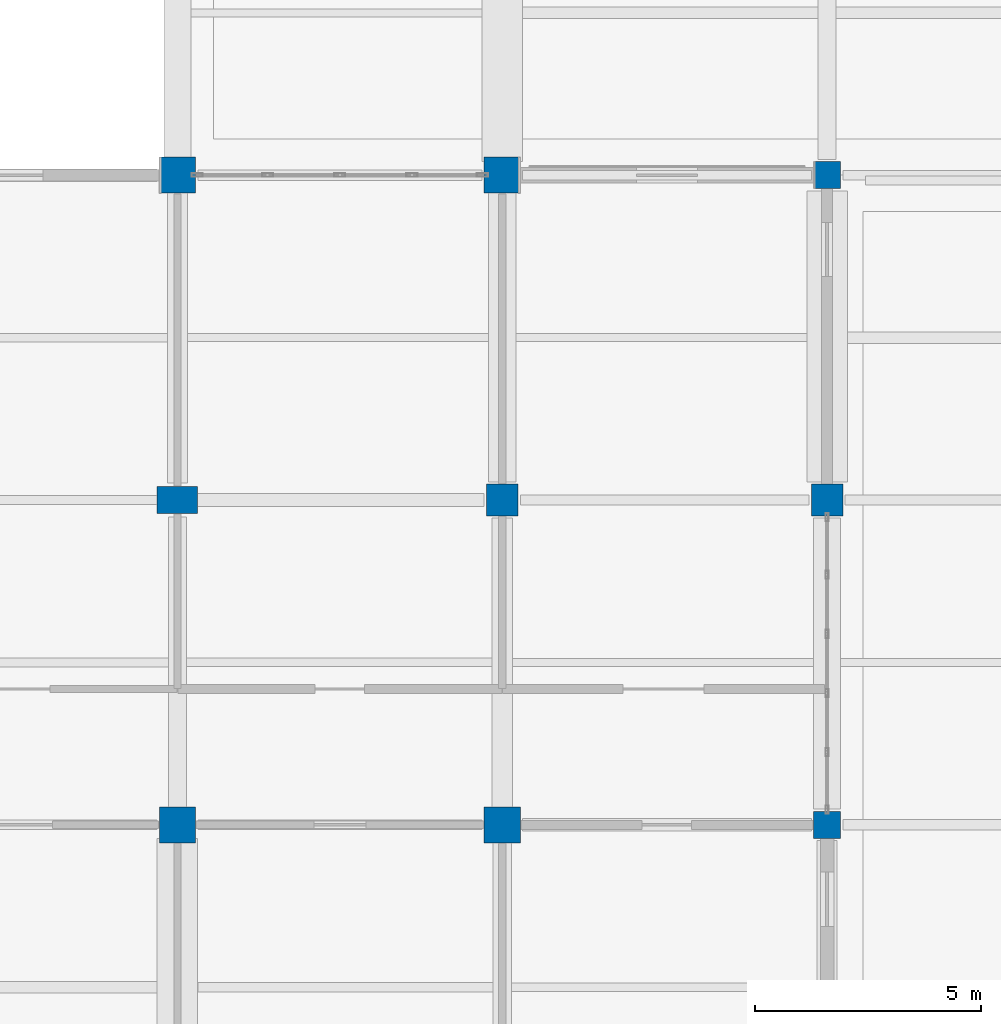
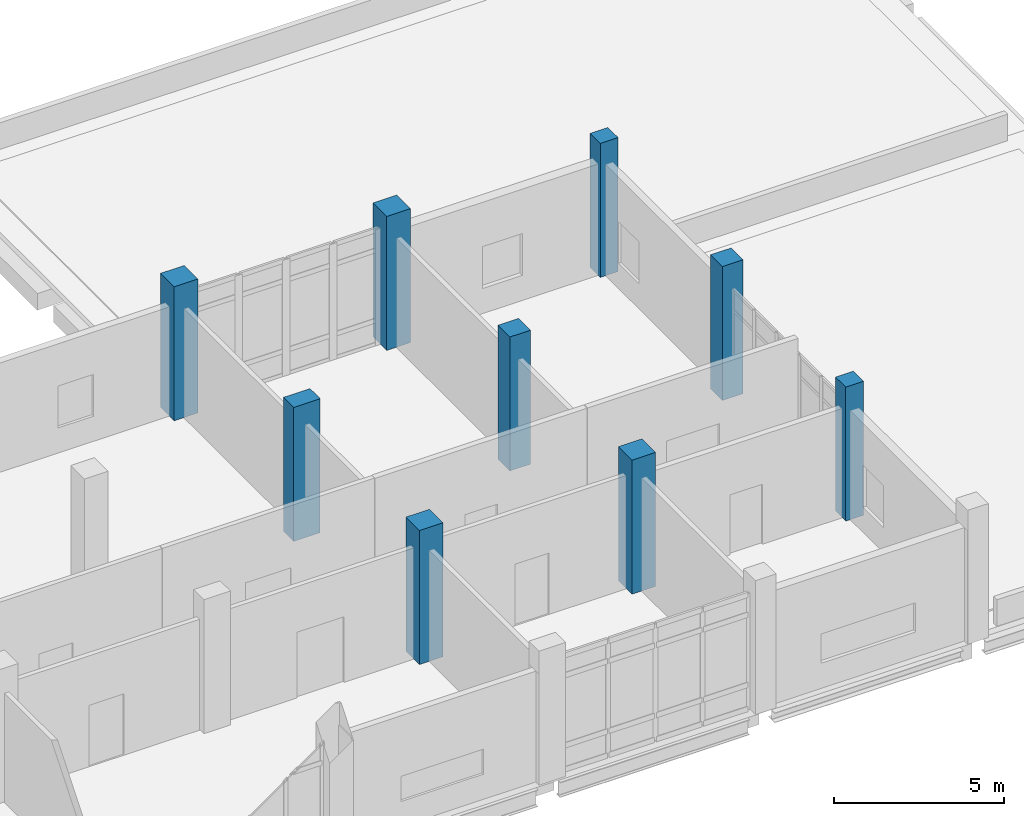
# One storey, part 17 of 186: 9 columns.
"""IFC4 building model written with IfcOpenShell, lengths in metres."""

from ifc_helpers import new_model, si_unit, direction, frame, origin, origin_2d, place, context, subcontext, project, spatial, rectangle, extrude, material, material_profile, profile_set, type_object, element, save


model = new_model("IFC4")

# Units and contexts
model_context = context("Model", 3, precision=1e-05, world=origin(), true_north=direction((0.0, 1.0)))
body_context = subcontext(model_context, "Body", "Model", "MODEL_VIEW")
ifc_project = project(units=[si_unit("LENGTHUNIT", "METRE"), si_unit("AREAUNIT", "SQUARE_METRE"), si_unit("VOLUMEUNIT", "CUBIC_METRE"), si_unit("PLANEANGLEUNIT", "RADIAN"), si_unit("MASSUNIT", "GRAM", prefix="KILO")], contexts=[model_context])

# Site, building, storey
site_placement = place(None, origin())
site = spatial("IfcSite", under=ifc_project, at=site_placement, CompositionType="ELEMENT")
building_placement = place(site_placement, origin())
building = spatial("IfcBuilding", under=site, at=building_placement, Name="Calvrana Isthmian Art Gallery", CompositionType="ELEMENT")
storey_placement = place(building_placement, frame((0.0, 0.0, 5.39990234375)))
storey = spatial("IfcBuildingStorey", under=building, at=storey_placement, Name="L01", CompositionType="ELEMENT", Elevation=5.39990234375)

# Columns
ifc_material = material(Name="Concrete C40/50", Category="concrete")
ifc_material_profile_1 = material_profile(ifc_material, rectangle(XDim=0.60009765625, YDim=0.60009765625, at=origin_2d()), Name="RC600X600")
ifc_profile_set_1 = profile_set([ifc_material_profile_1], Name="Concrete C40/50")
column_type_1 = type_object("IfcColumnType", Name="COL-RC-RC600X600", PredefinedType="COLUMN", material=ifc_profile_set_1)
for number, where, z_axis, x_axis, name in (
    (1, (148.800048828125, 84.0, 0.0), (0.0, 0.0, 1.0), (1.0, 0.0, 0.0), "Column 20/L L01"),
    (2, (148.800048828125, 98.39990234375, 0.0), (0.0, 0.0, 1.0), (1.0, 0.0, 0.0), "Column 20/N L01"),
):
    element("IfcColumn", number, at=place(storey_placement, frame(where, z_axis=z_axis, x_axis=x_axis)), inside=storey, type_object=column_type_1, Name=name, PredefinedType="COLUMN", context=body_context, shape_type="SweptSolid", body=[
        extrude(rectangle(XDim=0.60009765625, YDim=0.60009765625, at=origin_2d()), origin(), (0.0, 0.0, 1.0), 4.800048828125),
    ])
ifc_material_profile_2 = material_profile(ifc_material, rectangle(XDim=0.699951171875, YDim=0.699951171875, at=origin_2d()), Name="RC700X700")
ifc_profile_set_2 = profile_set([ifc_material_profile_2], Name="Concrete C40/50")
column_type_2 = type_object("IfcColumnType", Name="COL-RC-RC700X700", PredefinedType="COLUMN", material=ifc_profile_set_2)
for number, where, z_axis, x_axis, name in (
    (3, (141.60009765625, 91.199951171875, 0.0), (0.0, 0.0, 1.0), (1.0, 0.0, 0.0), "Column 19/M L01"),
    (4, (148.800048828125, 91.199951171875, 0.0), (0.0, 0.0, 1.0), (1.0, 0.0, 0.0), "Column 20/M L01"),
):
    element("IfcColumn", number, at=place(storey_placement, frame(where, z_axis=z_axis, x_axis=x_axis)), inside=storey, type_object=column_type_2, Name=name, PredefinedType="COLUMN", context=body_context, shape_type="SweptSolid", body=[
        extrude(rectangle(XDim=0.699951171875, YDim=0.699951171875, at=origin_2d()), origin(), (0.0, 0.0, 1.0), 4.800048828125),
    ])
ifc_material_profile_3 = material_profile(ifc_material, rectangle(XDim=0.800048828125, YDim=0.800048828125, at=origin_2d()), Name="RC800X800")
ifc_profile_set_3 = profile_set([ifc_material_profile_3], Name="Concrete C40/50")
column_type_3 = type_object("IfcColumnType", Name="COL-RC-RC800X800", PredefinedType="COLUMN", material=ifc_profile_set_3)
for number, where, z_axis, x_axis, name in (
    (5, (134.39990234375, 84.0, 0.0), (0.0, 0.0, 1.0), (1.0, 0.0, 0.0), "Column 18/L L01"),
    (6, (134.39990234375, 98.39990234375, 0.0), (0.0, 0.0, 1.0), (1.0, 0.0, 0.0), "Column 18/N L01"),
    (7, (141.60009765625, 84.0, 0.0), (0.0, 0.0, 1.0), (1.0, 0.0, 0.0), "Column 19/L L01"),
    (8, (141.60009765625, 98.39990234375, 0.0), (0.0, 0.0, 1.0), (1.0, 0.0, 0.0), "Column 19/N L01"),
):
    element("IfcColumn", number, at=place(storey_placement, frame(where, z_axis=z_axis, x_axis=x_axis)), inside=storey, type_object=column_type_3, Name=name, PredefinedType="COLUMN", context=body_context, shape_type="SweptSolid", body=[
        extrude(rectangle(XDim=0.800048828125, YDim=0.800048828125, at=origin_2d()), origin(), (0.0, 0.0, 1.0), 4.800048828125),
    ])
ifc_material_profile_4 = material_profile(ifc_material, rectangle(XDim=0.89990234375, YDim=0.60009765625, at=origin_2d()), Name="RC900X600")
ifc_profile_set_4 = profile_set([ifc_material_profile_4], Name="Concrete C40/50")
column_type_4 = type_object("IfcColumnType", Name="COL-RC-RC900X600", PredefinedType="COLUMN", material=ifc_profile_set_4)
column_placement = place(storey_placement, frame((134.39990234375, 91.199951171875, 0.0), z_axis=(0.0, 0.0, 1.0), x_axis=(1.0, 0.0, 0.0)))
element("IfcColumn", 9, at=column_placement, inside=storey, type_object=column_type_4, Name="Column 18/M L01", PredefinedType="COLUMN", context=body_context, shape_type="SweptSolid", body=[
    extrude(rectangle(XDim=0.89990234375, YDim=0.60009765625, at=origin_2d()), origin(), (0.0, 0.0, 1.0), 4.800048828125),
])

save(model, "model.ifc")
